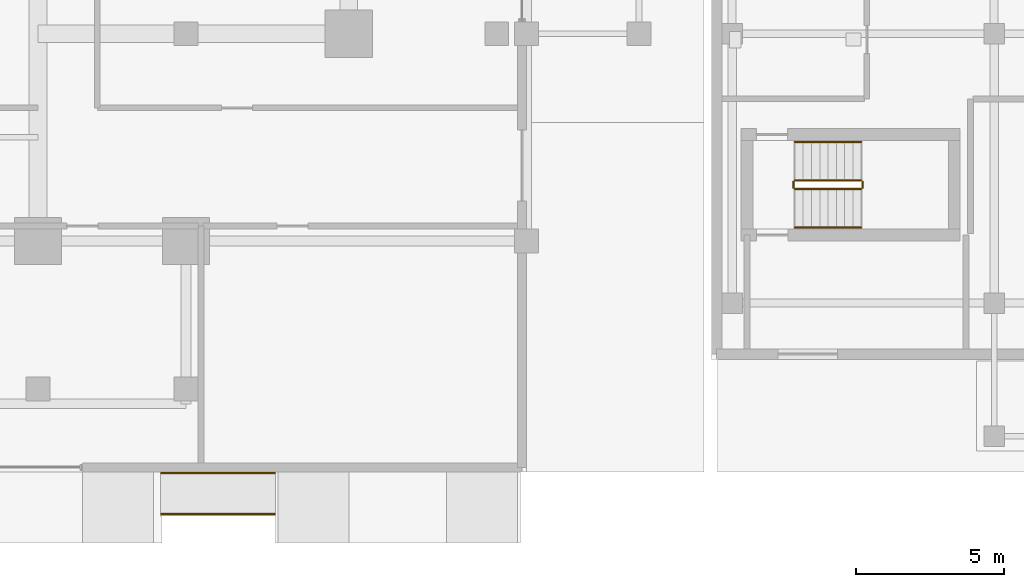
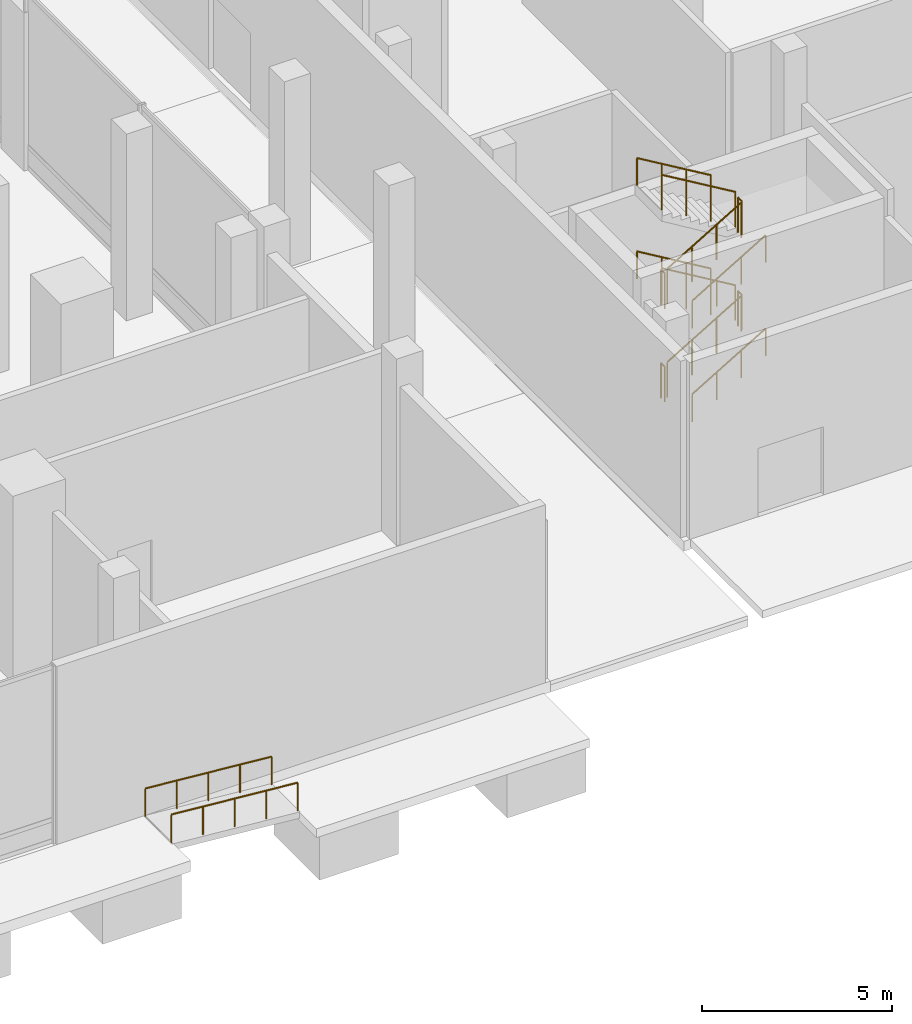
# One storey, part 31 of 34: 14 railings.
"""IFC4 building model written with IfcOpenShell, lengths in metres."""

from ifc_helpers import new_model, si_unit, direction, frame, origin, origin_2d, place, context, subcontext, project, spatial, circle, extrude, material, type_object, element, save


model = new_model("IFC4")

# Units and contexts
model_context = context("Model", 3, precision=1e-05, world=origin(), true_north=direction((0.0, 1.0)))
body_context = subcontext(model_context, "Body", "Model", "MODEL_VIEW")
ifc_project = project(units=[si_unit("LENGTHUNIT", "METRE"), si_unit("AREAUNIT", "SQUARE_METRE"), si_unit("VOLUMEUNIT", "CUBIC_METRE"), si_unit("PLANEANGLEUNIT", "RADIAN"), si_unit("MASSUNIT", "GRAM", prefix="KILO")], contexts=[model_context])

# Site, building, storey
site_placement = place(None, origin())
site = spatial("IfcSite", under=ifc_project, at=site_placement, CompositionType="ELEMENT")
building_placement = place(site_placement, origin())
building = spatial("IfcBuilding", under=site, at=building_placement, Name="Barlavira Tower and Art Museum", CompositionType="ELEMENT")
storey_placement = place(building_placement, origin())
storey = spatial("IfcBuildingStorey", under=building, at=storey_placement, Name="L00", CompositionType="ELEMENT", Elevation=0.0)

# Railings
ifc_material = material(Name="Brushed stainless steel", Category="steel")
railing_type_1 = type_object("IfcRailingType", Name="Interior Void and Landing Guard Railing 1150", PredefinedType="GUARDRAIL", material=ifc_material)
railing_1_placement = place(storey_placement, frame((32.070068359375, -18.25, 0.166748046875)))
element("IfcRailing", 1, at=railing_1_placement, inside=storey, type_object=railing_type_1, Name="L00 ST-M1 stair guard 1", PredefinedType="GUARDRAIL", context=body_context, shape_type="SweptSolid", body=[
    extrude(circle(Radius=0.02392578125, at=origin_2d()), frame((0.0, 0.0, 1.1259765625), z_axis=(0.859305625298, 0.0, 0.511462454469), x_axis=(0.0, 1.0, 0.0)), (0.0, 0.0, 1.0), 2.606689453125),
    extrude(circle(Radius=0.02099609375, at=origin_2d()), origin(), (0.0, 0.0, 1.0), 1.101806640625),
    extrude(circle(Radius=0.02099609375, at=origin_2d()), frame((0.74658203125, 0.0, 0.4443359375)), (0.0, 0.0, 1.0), 1.101806640625),
    extrude(circle(Radius=0.02099609375, at=origin_2d()), frame((1.493408203125, 0.0, 0.888916015625)), (0.0, 0.0, 1.0), 1.101806640625),
    extrude(circle(Radius=0.02099609375, at=origin_2d()), frame((2.239990234375, 0.0, 1.333251953125)), (0.0, 0.0, 1.0), 1.101806640625),
])
railing_2_placement = place(storey_placement, frame((34.360107421875, -18.199951171875, 1.5)))
element("IfcRailing", 2, at=railing_2_placement, inside=storey, type_object=railing_type_1, Name="L00 ST-M1 stair guard 2", PredefinedType="GUARDRAIL", context=body_context, shape_type="SweptSolid", body=[
    extrude(circle(Radius=0.02392578125, at=origin_2d()), frame((0.0, 0.0, 1.1259765625), z_axis=(0.0, 1.0, 0.0), x_axis=(-1.0, 0.0, 0.0)), (0.0, 0.0, 1.0), 0.199951171875),
    extrude(circle(Radius=0.02099609375, at=origin_2d()), origin(), (0.0, 0.0, 1.0), 1.101806640625),
    extrude(circle(Radius=0.02099609375, at=origin_2d()), frame((0.0, 0.199951171875, 0.0)), (0.0, 0.0, 1.0), 1.101806640625),
])
railing_3_placement = place(storey_placement, frame((34.31005859375, -17.949951171875, 1.666748046875)))
element("IfcRailing", 3, at=railing_3_placement, inside=storey, type_object=railing_type_1, Name="L00 ST-M1 stair guard 3", PredefinedType="GUARDRAIL", context=body_context, shape_type="SweptSolid", body=[
    extrude(circle(Radius=0.02392578125, at=origin_2d()), frame((0.0, 0.0, 1.1259765625), z_axis=(-0.859305625298, 0.0, 0.511462454469), x_axis=(0.0, -1.0, 0.0)), (0.0, 0.0, 1.0), 2.606689453125),
    extrude(circle(Radius=0.02099609375, at=origin_2d()), origin(), (0.0, 0.0, 1.0), 1.101806640625),
    extrude(circle(Radius=0.02099609375, at=origin_2d()), frame((-0.74658203125, 0.0, 0.4443359375)), (0.0, 0.0, 1.0), 1.101806640625),
    extrude(circle(Radius=0.02099609375, at=origin_2d()), frame((-1.493408203125, 0.0, 0.888916015625)), (0.0, 0.0, 1.0), 1.101806640625),
    extrude(circle(Radius=0.02099609375, at=origin_2d()), frame((-2.239990234375, 0.0, 1.333251953125)), (0.0, 0.0, 1.0), 1.101806640625),
])
railing_4_placement = place(storey_placement, frame((32.02001953125, -18.199951171875, 3.0)))
element("IfcRailing", 4, at=railing_4_placement, inside=storey, type_object=railing_type_1, Name="L00 ST-M1 stair guard 4", PredefinedType="GUARDRAIL", context=body_context, shape_type="SweptSolid", body=[
    extrude(circle(Radius=0.02392578125, at=origin_2d()), frame((0.0, 0.0, 1.1259765625), z_axis=(0.0, 1.0, 0.0), x_axis=(-1.0, 0.0, 0.0)), (0.0, 0.0, 1.0), 0.199951171875),
    extrude(circle(Radius=0.02099609375, at=origin_2d()), origin(), (0.0, 0.0, 1.0), 1.101806640625),
    extrude(circle(Radius=0.02099609375, at=origin_2d()), frame((0.0, 0.199951171875, 0.0)), (0.0, 0.0, 1.0), 1.101806640625),
])
railing_5_placement = place(storey_placement, frame((32.070068359375, -18.25, 3.166748046875)))
element("IfcRailing", 5, at=railing_5_placement, inside=storey, type_object=railing_type_1, Name="L00 ST-M1 stair guard 5", PredefinedType="GUARDRAIL", context=body_context, shape_type="SweptSolid", body=[
    extrude(circle(Radius=0.02392578125, at=origin_2d()), frame((0.0, 0.0, 1.1259765625), z_axis=(0.859305625298, 0.0, 0.511462454469), x_axis=(0.0, 1.0, 0.0)), (0.0, 0.0, 1.0), 2.606689453125),
    extrude(circle(Radius=0.02099609375, at=origin_2d()), origin(), (0.0, 0.0, 1.0), 1.101806640625),
    extrude(circle(Radius=0.02099609375, at=origin_2d()), frame((0.74658203125, 0.0, 0.4443359375)), (0.0, 0.0, 1.0), 1.101806640625),
    extrude(circle(Radius=0.02099609375, at=origin_2d()), frame((1.493408203125, 0.0, 0.888916015625)), (0.0, 0.0, 1.0), 1.101806640625),
    extrude(circle(Radius=0.02099609375, at=origin_2d()), frame((2.239990234375, 0.0, 1.333251953125)), (0.0, 0.0, 1.0), 1.101806640625),
])
railing_6_placement = place(storey_placement, frame((34.360107421875, -18.199951171875, 4.5)))
element("IfcRailing", 6, at=railing_6_placement, inside=storey, type_object=railing_type_1, Name="L00 ST-M1 stair guard 6", PredefinedType="GUARDRAIL", context=body_context, shape_type="SweptSolid", body=[
    extrude(circle(Radius=0.02392578125, at=origin_2d()), frame((0.0, 0.0, 1.1259765625), z_axis=(0.0, 1.0, 0.0), x_axis=(-1.0, 0.0, 0.0)), (0.0, 0.0, 1.0), 0.199951171875),
    extrude(circle(Radius=0.02099609375, at=origin_2d()), origin(), (0.0, 0.0, 1.0), 1.101806640625),
    extrude(circle(Radius=0.02099609375, at=origin_2d()), frame((0.0, 0.199951171875, 0.0)), (0.0, 0.0, 1.0), 1.101806640625),
])
railing_7_placement = place(storey_placement, frame((34.31005859375, -17.949951171875, 4.666748046875)))
element("IfcRailing", 7, at=railing_7_placement, inside=storey, type_object=railing_type_1, Name="L00 ST-M1 stair guard 7", PredefinedType="GUARDRAIL", context=body_context, shape_type="SweptSolid", body=[
    extrude(circle(Radius=0.02392578125, at=origin_2d()), frame((0.0, 0.0, 1.1259765625), z_axis=(-0.859305625298, 0.0, 0.511462454469), x_axis=(0.0, -1.0, 0.0)), (0.0, 0.0, 1.0), 2.606689453125),
    extrude(circle(Radius=0.02099609375, at=origin_2d()), origin(), (0.0, 0.0, 1.0), 1.101806640625),
    extrude(circle(Radius=0.02099609375, at=origin_2d()), frame((-0.74658203125, 0.0, 0.4443359375)), (0.0, 0.0, 1.0), 1.101806640625),
    extrude(circle(Radius=0.02099609375, at=origin_2d()), frame((-1.493408203125, 0.0, 0.888916015625)), (0.0, 0.0, 1.0), 1.101806640625),
    extrude(circle(Radius=0.02099609375, at=origin_2d()), frame((-2.239990234375, 0.0, 1.333251953125)), (0.0, 0.0, 1.0), 1.101806640625),
])
railing_8_placement = place(storey_placement, frame((32.02001953125, -18.199951171875, 0.0)))
element("IfcRailing", 8, at=railing_8_placement, inside=storey, type_object=railing_type_1, Name="L00 ST-M1 stair guard 8", PredefinedType="GUARDRAIL", context=body_context, shape_type="SweptSolid", body=[
    extrude(circle(Radius=0.02392578125, at=origin_2d()), frame((0.0, 0.0, 1.1259765625), z_axis=(0.0, 1.0, 0.0), x_axis=(-1.0, 0.0, 0.0)), (0.0, 0.0, 1.0), 0.199951171875),
    extrude(circle(Radius=0.02099609375, at=origin_2d()), origin(), (0.0, 0.0, 1.0), 1.101806640625),
    extrude(circle(Radius=0.02099609375, at=origin_2d()), frame((0.0, 0.199951171875, 0.0)), (0.0, 0.0, 1.0), 1.101806640625),
])
railing_type_2 = type_object("IfcRailingType", Name="Stair Pitch Tubular Steel Handrail 920", PredefinedType="HANDRAIL", material=ifc_material)
railing_9_placement = place(storey_placement, frame((32.070068359375, -19.550048828125, 0.166748046875)))
element("IfcRailing", 9, at=railing_9_placement, inside=storey, type_object=railing_type_2, Name="L00 ST-M1 stair handrail 1", PredefinedType="HANDRAIL", context=body_context, shape_type="SweptSolid", body=[
    extrude(circle(Radius=0.02392578125, at=origin_2d()), frame((0.0, 0.0, 0.8759765625), z_axis=(0.859305625298, 0.0, 0.511462454469), x_axis=(0.0, 1.0, 0.0)), (0.0, 0.0, 1.0), 2.606689453125),
    extrude(circle(Radius=0.02099609375, at=origin_2d()), origin(), (0.0, 0.0, 1.0), 0.851806640625),
    extrude(circle(Radius=0.02099609375, at=origin_2d()), frame((0.74658203125, 0.0, 0.4443359375)), (0.0, 0.0, 1.0), 0.851806640625),
    extrude(circle(Radius=0.02099609375, at=origin_2d()), frame((1.493408203125, 0.0, 0.888916015625)), (0.0, 0.0, 1.0), 0.851806640625),
    extrude(circle(Radius=0.02099609375, at=origin_2d()), frame((2.239990234375, 0.0, 1.333251953125)), (0.0, 0.0, 1.0), 0.851806640625),
])
railing_10_placement = place(storey_placement, frame((34.31005859375, -16.64990234375, 1.666748046875)))
element("IfcRailing", 10, at=railing_10_placement, inside=storey, type_object=railing_type_2, Name="L00 ST-M1 stair handrail 2", PredefinedType="HANDRAIL", context=body_context, shape_type="SweptSolid", body=[
    extrude(circle(Radius=0.02392578125, at=origin_2d()), frame((0.0, 0.0, 0.8759765625), z_axis=(-0.859305625298, 0.0, 0.511462454469), x_axis=(0.0, -1.0, 0.0)), (0.0, 0.0, 1.0), 2.606689453125),
    extrude(circle(Radius=0.02099609375, at=origin_2d()), origin(), (0.0, 0.0, 1.0), 0.851806640625),
    extrude(circle(Radius=0.02099609375, at=origin_2d()), frame((-0.74658203125, 0.0, 0.4443359375)), (0.0, 0.0, 1.0), 0.851806640625),
    extrude(circle(Radius=0.02099609375, at=origin_2d()), frame((-1.493408203125, 0.0, 0.888916015625)), (0.0, 0.0, 1.0), 0.851806640625),
    extrude(circle(Radius=0.02099609375, at=origin_2d()), frame((-2.239990234375, 0.0, 1.333251953125)), (0.0, 0.0, 1.0), 0.851806640625),
])
railing_11_placement = place(storey_placement, frame((32.070068359375, -19.550048828125, 3.166748046875)))
element("IfcRailing", 11, at=railing_11_placement, inside=storey, type_object=railing_type_2, Name="L00 ST-M1 stair handrail 3", PredefinedType="HANDRAIL", context=body_context, shape_type="SweptSolid", body=[
    extrude(circle(Radius=0.02392578125, at=origin_2d()), frame((0.0, 0.0, 0.8759765625), z_axis=(0.859305625298, 0.0, 0.511462454469), x_axis=(0.0, 1.0, 0.0)), (0.0, 0.0, 1.0), 2.606689453125),
    extrude(circle(Radius=0.02099609375, at=origin_2d()), origin(), (0.0, 0.0, 1.0), 0.851806640625),
    extrude(circle(Radius=0.02099609375, at=origin_2d()), frame((0.74658203125, 0.0, 0.4443359375)), (0.0, 0.0, 1.0), 0.851806640625),
    extrude(circle(Radius=0.02099609375, at=origin_2d()), frame((1.493408203125, 0.0, 0.888916015625)), (0.0, 0.0, 1.0), 0.851806640625),
    extrude(circle(Radius=0.02099609375, at=origin_2d()), frame((2.239990234375, 0.0, 1.333251953125)), (0.0, 0.0, 1.0), 0.851806640625),
])
railing_12_placement = place(storey_placement, frame((34.31005859375, -16.64990234375, 4.666748046875)))
element("IfcRailing", 12, at=railing_12_placement, inside=storey, type_object=railing_type_2, Name="L00 ST-M1 stair handrail 4", PredefinedType="HANDRAIL", context=body_context, shape_type="SweptSolid", body=[
    extrude(circle(Radius=0.02392578125, at=origin_2d()), frame((0.0, 0.0, 0.8759765625), z_axis=(-0.859305625298, 0.0, 0.511462454469), x_axis=(0.0, -1.0, 0.0)), (0.0, 0.0, 1.0), 2.606689453125),
    extrude(circle(Radius=0.02099609375, at=origin_2d()), origin(), (0.0, 0.0, 1.0), 0.851806640625),
    extrude(circle(Radius=0.02099609375, at=origin_2d()), frame((-0.74658203125, 0.0, 0.4443359375)), (0.0, 0.0, 1.0), 0.851806640625),
    extrude(circle(Radius=0.02099609375, at=origin_2d()), frame((-1.493408203125, 0.0, 0.888916015625)), (0.0, 0.0, 1.0), 0.851806640625),
    extrude(circle(Radius=0.02099609375, at=origin_2d()), frame((-2.239990234375, 0.0, 1.333251953125)), (0.0, 0.0, 1.0), 0.851806640625),
])
for number, where, name in (
    (13, (14.5, -29.219970703125, -0.320068359375), "Museum Esplanade Step-Free Entry Ramp Handrail 1"),
    (14, (14.5, -27.840087890625, -0.320068359375), "Museum Esplanade Step-Free Entry Ramp Handrail 2"),
):
    element("IfcRailing", number, at=place(storey_placement, frame(where)), inside=storey, type_object=railing_type_2, Name=name, PredefinedType="HANDRAIL", context=body_context, shape_type="SweptSolid", body=[
        extrude(circle(Radius=0.02392578125, at=origin_2d()), frame((0.0, 0.0, 0.89599609375), z_axis=(-0.996544447283, 0.0, 0.083061209892), x_axis=(0.0, -1.0, 0.0)), (0.0, 0.0, 1.0), 3.853515625),
        extrude(circle(Radius=0.02099609375, at=origin_2d()), origin(), (0.0, 0.0, 1.0), 0.871826171875),
        extrude(circle(Radius=0.02099609375, at=origin_2d()), frame((-0.9599609375, 0.0, 0.080078125)), (0.0, 0.0, 1.0), 0.871826171875),
        extrude(circle(Radius=0.02099609375, at=origin_2d()), frame((-1.919921875, 0.0, 0.16015625)), (0.0, 0.0, 1.0), 0.871826171875),
        extrude(circle(Radius=0.02099609375, at=origin_2d()), frame((-2.880126953125, 0.0, 0.239990234375)), (0.0, 0.0, 1.0), 0.871826171875),
        extrude(circle(Radius=0.02099609375, at=origin_2d()), frame((-3.840087890625, 0.0, 0.320068359375)), (0.0, 0.0, 1.0), 0.871826171875),
    ])

save(model, "model.ifc")
